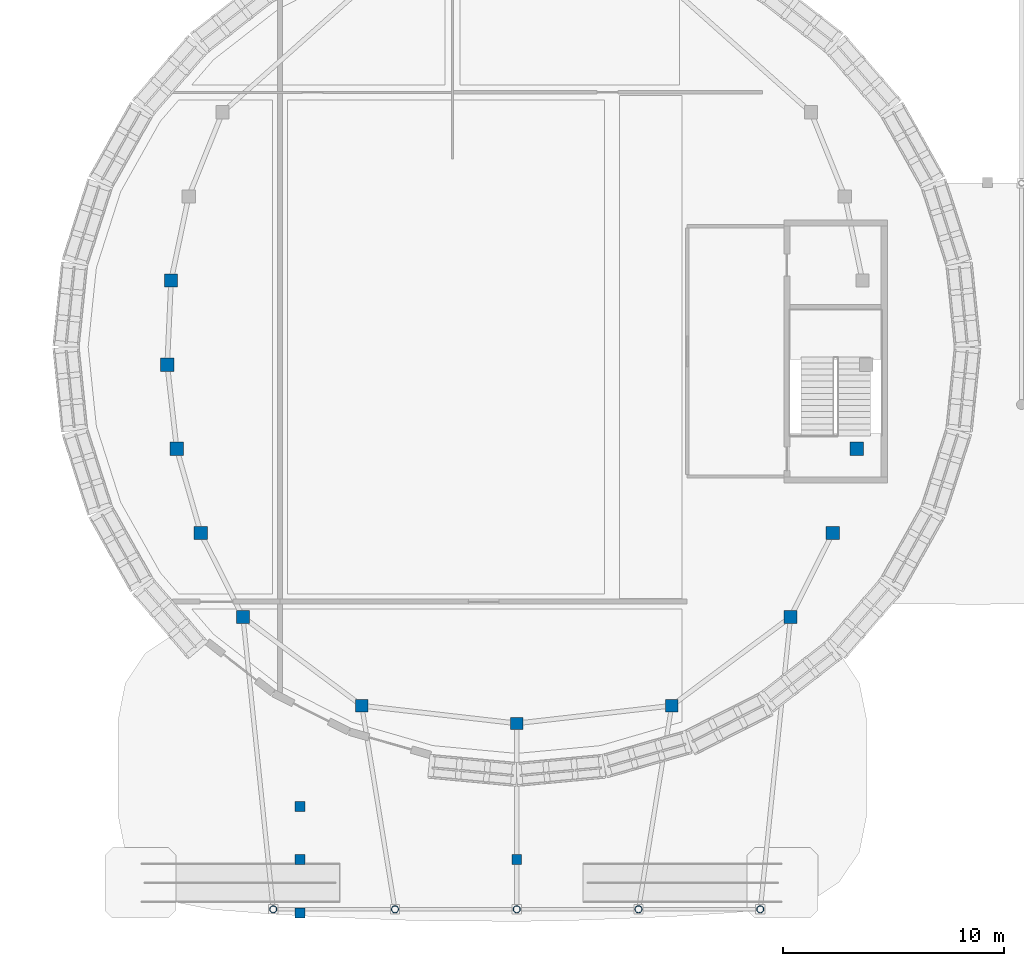
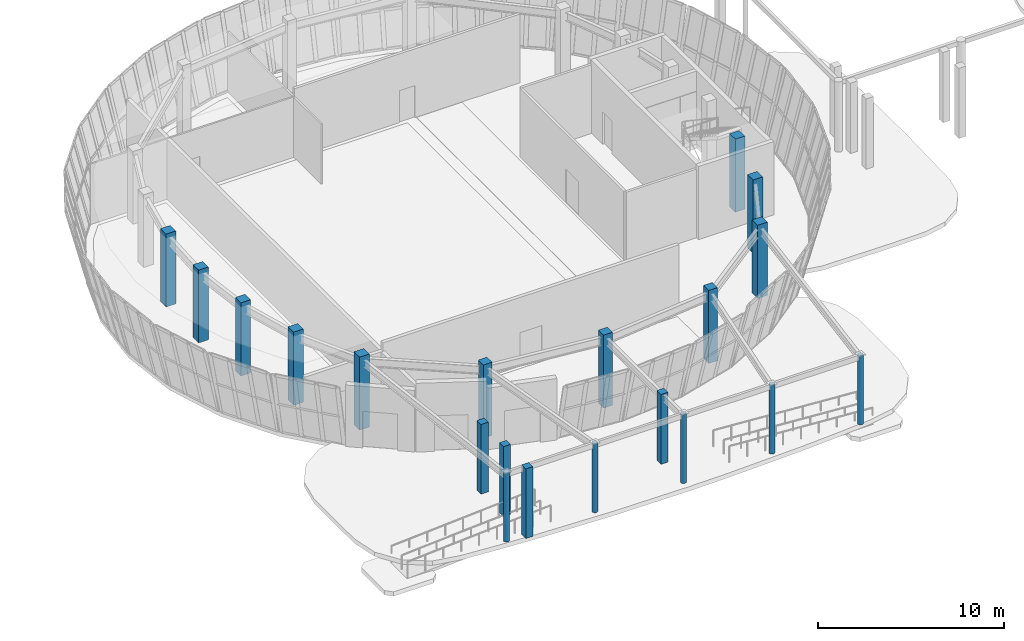
# One storey, part 1 of 120: 20 columns.
"""IFC4 building model written with IfcOpenShell, lengths in metres."""

from ifc_helpers import new_model, si_unit, direction, frame, origin, origin_2d, place, context, subcontext, project, spatial, rectangle, hollow_circle, extrude, material, material_profile, profile_set, type_object, element, save


model = new_model("IFC4")

# Units and contexts
model_context = context("Model", 3, precision=1e-05, world=origin(), true_north=direction((0.0, 1.0)))
body_context = subcontext(model_context, "Body", "Model", "MODEL_VIEW")
ifc_project = project(units=[si_unit("LENGTHUNIT", "METRE"), si_unit("AREAUNIT", "SQUARE_METRE"), si_unit("VOLUMEUNIT", "CUBIC_METRE"), si_unit("PLANEANGLEUNIT", "RADIAN"), si_unit("MASSUNIT", "GRAM", prefix="KILO")], contexts=[model_context])

# Site, building, storey
site_placement = place(None, origin())
site = spatial("IfcSite", under=ifc_project, at=site_placement, CompositionType="ELEMENT")
building_placement = place(site_placement, origin())
building = spatial("IfcBuilding", under=site, at=building_placement, Name="Corveleigh Park Community Centre", CompositionType="ELEMENT")
storey_placement = place(building_placement, origin())
storey = spatial("IfcBuildingStorey", under=building, at=storey_placement, Name="L00", CompositionType="ELEMENT", Elevation=0.0)

# Columns
ifc_material_1 = material(Name="Concrete C40/50", Category="concrete")
ifc_material_profile_1 = material_profile(ifc_material_1, rectangle(XDim=0.449951171875, YDim=0.449951171875, at=origin_2d()), Name="RC-450x450", Category="concrete")
ifc_profile_set_1 = profile_set([ifc_material_profile_1], Name="Concrete C40/50")
column_type_1 = type_object("IfcColumnType", Name="COL-RC-450x450", PredefinedType="COLUMN", material=ifc_profile_set_1)
for number, where, z_axis, x_axis, name in (
    (1, (21.2119140625, 2.0419921875, 0.0), (0.0, 0.0, 1.0), (1.0, 0.0, 0.0), "External deck support pier 238 L00"),
    (2, (21.2119140625, 4.447998046875, 0.0), (0.0, 0.0, 1.0), (1.0, 0.0, 0.0), "External deck support pier 239 L00"),
    (3, (21.2119140625, 6.85498046875, 0.0), (0.0, 0.0, 1.0), (1.0, 0.0, 0.0), "External deck support pier 240 L00"),
    (4, (31.0, 4.447998046875, 0.0), (0.0, 0.0, 1.0), (1.0, 0.0, 0.0), "External deck support pier 241 L00"),
):
    element("IfcColumn", number, at=place(storey_placement, frame(where, z_axis=z_axis, x_axis=x_axis)), inside=storey, type_object=column_type_1, Name=name, PredefinedType="COLUMN", context=body_context, shape_type="SweptSolid", body=[
        extrude(rectangle(XDim=0.449951171875, YDim=0.449951171875, at=origin_2d()), origin(), (0.0, 0.0, 1.0), 4.580078125),
    ])
ifc_material_profile_2 = material_profile(ifc_material_1, rectangle(XDim=0.550048828125, YDim=0.550048828125, at=origin_2d()), Name="RC-550x550", Category="concrete")
ifc_profile_set_2 = profile_set([ifc_material_profile_2], Name="Concrete C40/50")
column_type_2 = type_object("IfcColumnType", Name="COL-RC-550x550", PredefinedType="COLUMN", material=ifc_profile_set_2)
for number, where, z_axis, x_axis, name in (
    (5, (24.0, 11.39990234375, 0.0), (0.0, 0.0, 1.0), (1.0, 0.0, 0.0), "Column V1-S1 L00"),
    (6, (31.0, 10.60009765625, 0.0), (0.0, 0.0, 1.0), (1.0, 0.0, 0.0), "Column V1-S2 L00"),
    (7, (38.0, 11.39990234375, 0.0), (0.0, 0.0, 1.0), (1.0, 0.0, 0.0), "Column V1-S3 L00"),
):
    element("IfcColumn", number, at=place(storey_placement, frame(where, z_axis=z_axis, x_axis=x_axis)), inside=storey, type_object=column_type_2, Name=name, PredefinedType="COLUMN", context=body_context, shape_type="SweptSolid", body=[
        extrude(rectangle(XDim=0.550048828125, YDim=0.550048828125, at=origin_2d()), origin(), (0.0, 0.0, 1.0), 4.800048828125),
    ])
ifc_material_profile_3 = material_profile(ifc_material_1, rectangle(XDim=0.60009765625, YDim=0.60009765625, at=origin_2d()), Name="RC-600x600", Category="concrete")
ifc_profile_set_3 = profile_set([ifc_material_profile_3], Name="Concrete C40/50")
column_type_3 = type_object("IfcColumnType", Name="COL-RC-600x600", PredefinedType="COLUMN", material=ifc_profile_set_3)
for number, where, z_axis, x_axis, name in (
    (8, (18.634033203125, 15.39990234375, 0.0), (0.0, 0.0, 1.0), (1.0, 0.0, 0.0), "Column V1-W1 L00"),
    (9, (43.365966796875, 15.39990234375, 0.0), (0.0, 0.0, 1.0), (1.0, 0.0, 0.0), "Column V1-E1 L00"),
    (10, (16.72509765625, 19.199951171875, 0.0), (0.0, 0.0, 1.0), (1.0, 0.0, 0.0), "Column V1-W2 L00"),
    (11, (45.27490234375, 19.199951171875, 0.0), (0.0, 0.0, 1.0), (1.0, 0.0, 0.0), "Column V1-E2 L00"),
    (12, (15.64111328125, 23.0, 0.0), (0.0, 0.0, 1.0), (1.0, 0.0, 0.0), "Column V1-W3 L00"),
    (13, (46.35888671875, 23.0, 0.0), (0.0, 0.0, 1.0), (1.0, 0.0, 0.0), "Column V1-E3 L00"),
    (14, (15.212890625, 26.800048828125, 0.0), (0.0, 0.0, 1.0), (1.0, 0.0, 0.0), "Column V1-W4 L00"),
    (15, (15.385986328125, 30.60009765625, 0.0), (0.0, 0.0, 1.0), (1.0, 0.0, 0.0), "Column V1-W5 L00"),
):
    element("IfcColumn", number, at=place(storey_placement, frame(where, z_axis=z_axis, x_axis=x_axis)), inside=storey, type_object=column_type_3, Name=name, PredefinedType="COLUMN", context=body_context, shape_type="SweptSolid", body=[
        extrude(rectangle(XDim=0.60009765625, YDim=0.60009765625, at=origin_2d()), origin(), (0.0, 0.0, 1.0), 4.800048828125),
    ])
ifc_material_2 = material(Name="Steel S355", Category="steel")
ifc_material_profile_4 = material_profile(ifc_material_2, hollow_circle(Radius=0.161865234375, WallThickness=0.01611328125, at=origin_2d()), Name="CHS 323.9x16.0", Category="steel")
ifc_profile_set_4 = profile_set([ifc_material_profile_4], Name="Steel S355")
column_type_4 = type_object("IfcColumnType", Name="COL-STL-CHS324", PredefinedType="COLUMN", material=ifc_profile_set_4)
for number, where, z_axis, x_axis, name in (
    (16, (20.0, 2.199951171875, 0.0), (0.0, 0.0, 1.0), (1.0, 0.0, 0.0), "Column V1-CAN1 L00"),
    (17, (25.5, 2.199951171875, 0.0), (0.0, 0.0, 1.0), (1.0, 0.0, 0.0), "Column V1-CAN2 L00"),
    (18, (31.0, 2.199951171875, 0.0), (0.0, 0.0, 1.0), (1.0, 0.0, 0.0), "Column V1-CAN3 L00"),
    (19, (36.5, 2.199951171875, 0.0), (0.0, 0.0, 1.0), (1.0, 0.0, 0.0), "Column V1-CAN4 L00"),
    (20, (42.0, 2.199951171875, 0.0), (0.0, 0.0, 1.0), (1.0, 0.0, 0.0), "Column V1-CAN5 L00"),
):
    element("IfcColumn", number, at=place(storey_placement, frame(where, z_axis=z_axis, x_axis=x_axis)), inside=storey, type_object=column_type_4, Name=name, PredefinedType="COLUMN", context=body_context, shape_type="SweptSolid", body=[
        extrude(hollow_circle(Radius=0.161865234375, WallThickness=0.01611328125, at=origin_2d()), origin(), (0.0, 0.0, 1.0), 4.550048828125),
    ])

save(model, "model.ifc")
